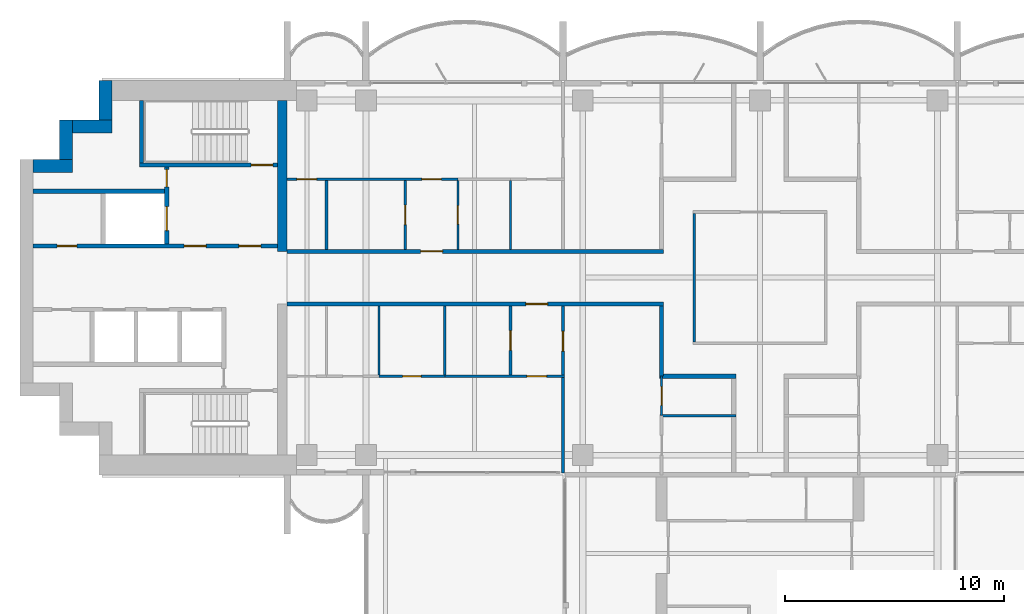
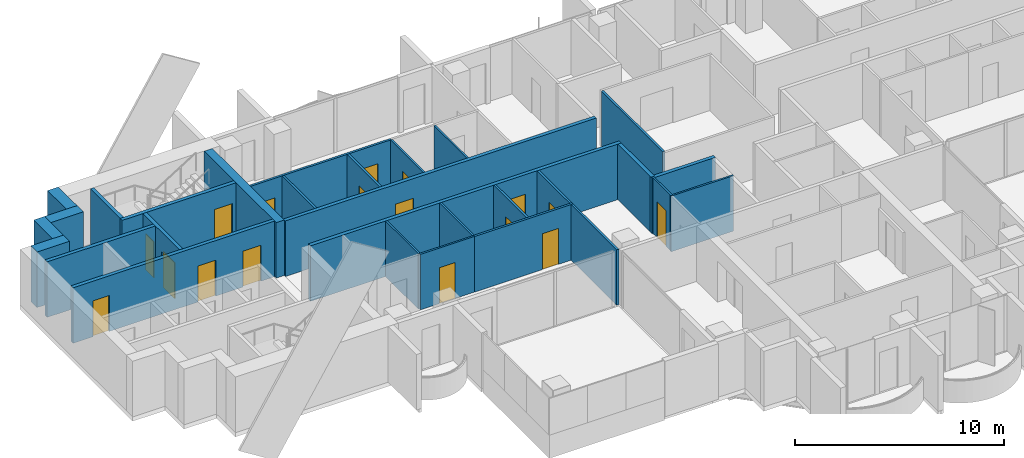
# One storey, part 9 of 17: 28 walls, 17 doors, 17 openings.
"""IFC4 building model written with IfcOpenShell, lengths in metres."""

from ifc_helpers import new_model, si_unit, direction, frame, frame_2d, origin, place, context, subcontext, project, spatial, rectangle, extrude, material, layer, layer_set, type_object, element, fill, save


model = new_model("IFC4")

# Units and contexts
model_context = context("Model", 3, precision=1e-05, world=origin(), true_north=direction((0.0, 1.0)))
body_context = subcontext(model_context, "Body", "Model", "MODEL_VIEW")
ifc_project = project(units=[si_unit("LENGTHUNIT", "METRE"), si_unit("AREAUNIT", "SQUARE_METRE"), si_unit("VOLUMEUNIT", "CUBIC_METRE"), si_unit("PLANEANGLEUNIT", "RADIAN"), si_unit("MASSUNIT", "GRAM", prefix="KILO")], contexts=[model_context])

# Site, building, storey
site_placement = place(None, origin())
site = spatial("IfcSite", under=ifc_project, at=site_placement, CompositionType="ELEMENT")
building_placement = place(site_placement, origin())
building = spatial("IfcBuilding", under=site, at=building_placement, Name="Perihelion Cross Residences", CompositionType="ELEMENT")
storey_placement = place(building_placement, frame((0.0, 0.0, 187.60009765625)))
storey = spatial("IfcBuildingStorey", under=building, at=storey_placement, Name="L46", CompositionType="ELEMENT", Elevation=187.60009765625)

# Wall, opening, door
ifc_material_1 = material(Name="Plasterboard partition")
ifc_layer_1 = layer(ifc_material_1, 0.199951171875)
ifc_layer_set_1 = layer_set([ifc_layer_1], Name="Apartment separation wall 200")
wall_type_1 = type_object("IfcWallType", Name="Apartment separation wall 200", PredefinedType="PARTITIONING", material=ifc_layer_set_1)
wall_1_placement = place(storey_placement, frame((-21.60009765625, 1.199951171875, 0.0), z_axis=(0.0, 0.0, 1.0), x_axis=(1.0, 0.0, 0.0)))
wall_1 = element("IfcWall", 1, at=wall_1_placement, inside=storey, type_object=wall_type_1, Name="Partition L46 W013", PredefinedType="PARTITIONING", context=body_context, shape_type="SweptSolid", body=[
    extrude(rectangle(XDim=17.2001953125, YDim=0.199951171875, at=frame_2d((8.60009765625, 0.0))), origin(), (0.0, 0.0, 1.0), 3.25),
])
opening_1_placement = place(wall_1_placement, frame((6.10009765625, 0.0, 0.0)))
opening_1 = element("IfcOpeningElement", 2, at=opening_1_placement, cuts=wall_1, Name="Opening L46.A40", PredefinedType="OPENING", context=body_context, shape_type="SweptSolid", body=[
    extrude(rectangle(XDim=1.0, YDim=2.10009765625, at=frame_2d((0.5, 1.050048828125))), frame((0.0, 0.10986328125, 0.0), z_axis=(0.0, -1.0, 0.0), x_axis=(1.0, 0.0, 0.0)), (0.0, 0.0, 1.0), 0.219970703125),
])
ifc_material_2 = material(Name="Timber door leaf", Category="wood")
door_type_1 = type_object("IfcDoorType", Name="Flat entrance door 1000 x 2100", OperationType="SINGLE_SWING_LEFT", PredefinedType="DOOR", material=ifc_material_2)
door_1_placement = place(opening_1_placement, origin())
door_1 = element("IfcDoor", 3, at=door_1_placement, inside=storey, type_object=door_type_1, Name="Door L46.A40", OperationType="SINGLE_SWING_RIGHT", OverallHeight=2.10009765625, OverallWidth=1.0, PredefinedType="DOOR", context=body_context, shape_type="SweptSolid", body=[
    extrude(rectangle(XDim=1.0, YDim=2.10009765625, at=frame_2d((0.5, 1.050048828125))), frame((0.0, 0.02490234375, 0.0), z_axis=(0.0, -1.0, 0.0), x_axis=(1.0, 0.0, 0.0)), (0.0, 0.0, 1.0), 0.050048828125),
])
fill(opening_1, door_1)

wall_2_placement = place(storey_placement, frame((-4.39990234375, -1.199951171875, 0.0), z_axis=(0.0, 0.0, 1.0), x_axis=(-1.0, 0.0, 0.0)))
wall_2 = element("IfcWall", 4, at=wall_2_placement, inside=storey, type_object=wall_type_1, Name="Partition L46 W017", PredefinedType="PARTITIONING", context=body_context, shape_type="SweptSolid", body=[
    extrude(rectangle(XDim=17.2001953125, YDim=0.199951171875, at=frame_2d((8.60009765625, 0.0))), origin(), (0.0, 0.0, 1.0), 3.25),
])
opening_2_placement = place(wall_2_placement, frame((5.300048828125, 0.0, 0.0)))
opening_2 = element("IfcOpeningElement", 5, at=opening_2_placement, cuts=wall_2, Name="Opening L46.A41", PredefinedType="OPENING", context=body_context, shape_type="SweptSolid", body=[
    extrude(rectangle(XDim=1.0, YDim=2.10009765625, at=frame_2d((0.5, 1.050048828125))), frame((0.0, 0.10986328125, 0.0), z_axis=(0.0, -1.0, 0.0), x_axis=(1.0, 0.0, 0.0)), (0.0, 0.0, 1.0), 0.219970703125),
])
door_2_placement = place(opening_2_placement, origin())
door_2 = element("IfcDoor", 6, at=door_2_placement, inside=storey, type_object=door_type_1, Name="Door L46.A41", OperationType="SINGLE_SWING_RIGHT", OverallHeight=2.10009765625, OverallWidth=1.0, PredefinedType="DOOR", context=body_context, shape_type="SweptSolid", body=[
    extrude(rectangle(XDim=1.0, YDim=2.10009765625, at=frame_2d((0.5, 1.050048828125))), frame((0.0, 0.02490234375, 0.0), z_axis=(0.0, -1.0, 0.0), x_axis=(1.0, 0.0, 0.0)), (0.0, 0.0, 1.0), 0.050048828125),
])
fill(opening_2, door_2)

# Walls
wall_3_placement = place(storey_placement, frame((-4.5, -4.5, 0.0), z_axis=(0.0, 0.0, 1.0), x_axis=(0.0, 1.0, 0.0)))
element("IfcWall", 7, at=wall_3_placement, inside=storey, type_object=wall_type_1, Name="Partition L46 W018", PredefinedType="PARTITIONING", context=body_context, shape_type="SweptSolid", body=[
    extrude(rectangle(XDim=3.199951171875, YDim=0.199951171875, at=frame_2d((1.60009765625, 0.0))), origin(), (0.0, 0.0, 1.0), 3.25),
])
wall_4_placement = place(storey_placement, frame((-1.10009765625, -4.5, 0.0), z_axis=(0.0, 0.0, 1.0), x_axis=(-1.0, 0.0, 0.0)))
element("IfcWall", 8, at=wall_4_placement, inside=storey, type_object=wall_type_1, Name="Partition L46 W020", PredefinedType="PARTITIONING", context=body_context, shape_type="SweptSolid", body=[
    extrude(rectangle(XDim=3.5, YDim=0.199951171875, at=frame_2d((1.75, 0.0))), origin(), (0.0, 0.0, 1.0), 3.25),
])
ifc_material_3 = material(Name="Concrete C60/75", Category="concrete")
ifc_layer_2 = layer(ifc_material_3, 0.449951171875)
ifc_layer_set_2 = layer_set([ifc_layer_2], Name="Core wall, inner 450")
wall_type_2 = type_object("IfcWallType", Name="Core wall, inner 450", PredefinedType="SHEAR", material=ifc_layer_set_2)
wall_5_placement = place(storey_placement, frame((-21.824951171875, 1.199951171875, 0.0), z_axis=(0.0, 0.0, 1.0), x_axis=(0.0, 1.0, 0.0)))
element("IfcWall", 9, at=wall_5_placement, inside=storey, type_object=wall_type_2, Name="West core core wall, inner", PredefinedType="SHEAR", context=body_context, shape_type="SweptSolid", body=[
    extrude(rectangle(XDim=6.900146484375, YDim=0.449951171875, at=frame_2d((3.4501953125, 0.0))), origin(), (0.0, 0.0, 1.0), 3.25),
])
ifc_material_4 = material(Name="Concrete C60/75", Category="concrete")
ifc_layer_3 = layer(ifc_material_4, 0.60009765625)
ifc_layer_set_3 = layer_set([ifc_layer_3], Name="Core wall, outer 600")
wall_type_3 = type_object("IfcWallType", Name="Core wall, outer 600", PredefinedType="SHEAR", material=ifc_layer_set_3)
for number, where, z_axis, x_axis, name in (
    (10, (-33.199951171875, 5.10009765625, 0.0), (0.0, 0.0, 1.0), (1.0, 0.0, 0.0), "West core core wall, outer"),
    (11, (-31.699951171875, 5.39990234375, 0.0), (0.0, 0.0, 1.0), (0.0, 1.0, 0.0), "West core core wall, outer"),
):
    element("IfcWall", number, at=place(storey_placement, frame(where, z_axis=z_axis, x_axis=x_axis)), inside=storey, type_object=wall_type_3, Name=name, PredefinedType="SHEAR", context=body_context, shape_type="SweptSolid", body=[
        extrude(rectangle(XDim=1.800048828125, YDim=0.60009765625, at=frame_2d((0.89990234375, 0.0))), origin(), (0.0, 0.0, 1.0), 3.25),
    ])
wall_6_placement = place(storey_placement, frame((-31.39990234375, 6.89990234375, 0.0), z_axis=(0.0, 0.0, 1.0), x_axis=(1.0, 0.0, 0.0)))
element("IfcWall", 12, at=wall_6_placement, inside=storey, type_object=wall_type_3, Name="West core core wall, outer", PredefinedType="SHEAR", context=body_context, shape_type="SweptSolid", body=[
    extrude(rectangle(XDim=1.7998046875, YDim=0.60009765625, at=frame_2d((0.89990234375, 0.0))), origin(), (0.0, 0.0, 1.0), 3.25),
])
wall_7_placement = place(storey_placement, frame((-29.89990234375, 7.199951171875, 0.0), z_axis=(0.0, 0.0, 1.0), x_axis=(0.0, 1.0, 0.0)))
element("IfcWall", 13, at=wall_7_placement, inside=storey, type_object=wall_type_3, Name="West core core wall, outer", PredefinedType="SHEAR", context=body_context, shape_type="SweptSolid", body=[
    extrude(rectangle(XDim=1.800048828125, YDim=0.60009765625, at=frame_2d((0.89990234375, 0.0))), origin(), (0.0, 0.0, 1.0), 3.25),
])
ifc_material_5 = material(Name="Plasterboard partition")
ifc_layer_4 = layer(ifc_material_5, 0.1201171875)
ifc_layer_set_4 = layer_set([ifc_layer_4], Name="Partition wall 120")
wall_type_4 = type_object("IfcWallType", Name="Partition wall 120", PredefinedType="PARTITIONING", material=ifc_layer_set_4)
wall_8_placement = place(storey_placement, frame((-3.0, 2.93994140625, 0.0), z_axis=(0.0, 0.0, 1.0), x_axis=(0.0, -1.0, 0.0)))
element("IfcWall", 14, at=wall_8_placement, inside=storey, type_object=wall_type_4, Name="Partition L46 W004", PredefinedType="PARTITIONING", context=body_context, shape_type="SweptSolid", body=[
    extrude(rectangle(XDim=5.8798828125, YDim=0.1201171875, at=frame_2d((2.93994140625, 0.0))), origin(), (0.0, 0.0, 1.0), 3.25),
])

# Wall, opening, door
wall_9_placement = place(storey_placement, frame((-16.199951171875, 1.300048828125, 0.0), z_axis=(0.0, 0.0, 1.0), x_axis=(0.0, 1.0, 0.0)))
wall_9 = element("IfcWall", 15, at=wall_9_placement, inside=storey, type_object=wall_type_4, Name="Partition L46 W048", PredefinedType="PARTITIONING", context=body_context, shape_type="SweptSolid", body=[
    extrude(rectangle(XDim=3.139892578125, YDim=0.1201171875, at=frame_2d((1.56982421875, 0.0))), origin(), (0.0, 0.0, 1.0), 3.25),
])
opening_3_placement = place(wall_9_placement, frame((1.1201171875, 0.0, 0.0)))
opening_3 = element("IfcOpeningElement", 16, at=opening_3_placement, cuts=wall_9, Name="Opening L46.A19", PredefinedType="OPENING", context=body_context, shape_type="SweptSolid", body=[
    extrude(rectangle(XDim=0.89990234375, YDim=2.10009765625, at=frame_2d((0.449951171875, 1.050048828125))), frame((0.0, 0.070068359375, 0.0), z_axis=(0.0, -1.0, 0.0), x_axis=(1.0, 0.0, 0.0)), (0.0, 0.0, 1.0), 0.14013671875),
])
ifc_material_6 = material(Name="Timber door leaf", Category="wood")
door_type_2 = type_object("IfcDoorType", Name="Interior room door 900 x 2100", OperationType="SINGLE_SWING_LEFT", PredefinedType="DOOR", material=ifc_material_6)
door_3_placement = place(opening_3_placement, origin())
door_3 = element("IfcDoor", 17, at=door_3_placement, inside=storey, type_object=door_type_2, Name="Door L46.A19", OperationType="SINGLE_SWING_RIGHT", OverallHeight=2.10009765625, OverallWidth=0.89990234375, PredefinedType="DOOR", context=body_context, shape_type="SweptSolid", body=[
    extrude(rectangle(XDim=0.89990234375, YDim=2.10009765625, at=frame_2d((0.449951171875, 1.050048828125))), frame((0.0, 0.02490234375, 0.0), z_axis=(0.0, -1.0, 0.0), x_axis=(1.0, 0.0, 0.0)), (0.0, 0.0, 1.0), 0.050048828125),
])
fill(opening_3, door_3)

# Wall, openings, doors
wall_10_placement = place(storey_placement, frame((-21.60009765625, 4.5, 0.0), z_axis=(0.0, 0.0, 1.0), x_axis=(1.0, 0.0, 0.0)))
wall_10 = element("IfcWall", 18, at=wall_10_placement, inside=storey, type_object=wall_type_4, Name="Partition L46 W049", PredefinedType="PARTITIONING", context=body_context, shape_type="SweptSolid", body=[
    extrude(rectangle(XDim=7.800048828125, YDim=0.1201171875, at=frame_2d((3.89990234375, 0.0))), origin(), (0.0, 0.0, 1.0), 3.25),
])
opening_4_placement = place(wall_10_placement, frame((0.449951171875, 0.0, 0.0)))
opening_4 = element("IfcOpeningElement", 19, at=opening_4_placement, cuts=wall_10, Name="Opening L46.A20", PredefinedType="OPENING", context=body_context, shape_type="SweptSolid", body=[
    extrude(rectangle(XDim=0.89990234375, YDim=2.10009765625, at=frame_2d((0.449951171875, 1.050048828125))), frame((0.0, 0.070068359375, 0.0), z_axis=(0.0, -1.0, 0.0), x_axis=(1.0, 0.0, 0.0)), (0.0, 0.0, 1.0), 0.14013671875),
])
opening_5_placement = place(wall_10_placement, frame((6.14990234375, 0.0, 0.0)))
opening_5 = element("IfcOpeningElement", 20, at=opening_5_placement, cuts=wall_10, Name="Opening L46.A21", PredefinedType="OPENING", context=body_context, shape_type="SweptSolid", body=[
    extrude(rectangle(XDim=0.89990234375, YDim=2.10009765625, at=frame_2d((0.449951171875, 1.050048828125))), frame((0.0, 0.070068359375, 0.0), z_axis=(0.0, -1.0, 0.0), x_axis=(1.0, 0.0, 0.0)), (0.0, 0.0, 1.0), 0.14013671875),
])
door_4_placement = place(opening_4_placement, origin())
door_4 = element("IfcDoor", 21, at=door_4_placement, inside=storey, type_object=door_type_2, Name="Door L46.A20", OperationType="SINGLE_SWING_RIGHT", OverallHeight=2.10009765625, OverallWidth=0.89990234375, PredefinedType="DOOR", context=body_context, shape_type="SweptSolid", body=[
    extrude(rectangle(XDim=0.89990234375, YDim=2.10009765625, at=frame_2d((0.449951171875, 1.050048828125))), frame((0.0, 0.02490234375, 0.0), z_axis=(0.0, -1.0, 0.0), x_axis=(1.0, 0.0, 0.0)), (0.0, 0.0, 1.0), 0.050048828125),
])
fill(opening_4, door_4)
door_5_placement = place(opening_5_placement, origin())
door_5 = element("IfcDoor", 22, at=door_5_placement, inside=storey, type_object=door_type_2, Name="Door L46.A21", OperationType="SINGLE_SWING_LEFT", OverallHeight=2.10009765625, OverallWidth=0.89990234375, PredefinedType="DOOR", context=body_context, shape_type="SweptSolid", body=[
    extrude(rectangle(XDim=0.89990234375, YDim=2.10009765625, at=frame_2d((0.449951171875, 1.050048828125))), frame((0.0, 0.02490234375, 0.0), z_axis=(0.0, -1.0, 0.0), x_axis=(1.0, 0.0, 0.0)), (0.0, 0.0, 1.0), 0.050048828125),
])
fill(opening_5, door_5)

# Wall
wall_11_placement = place(storey_placement, frame((-19.800048828125, 1.300048828125, 0.0), z_axis=(0.0, 0.0, 1.0), x_axis=(0.0, 1.0, 0.0)))
element("IfcWall", 23, at=wall_11_placement, inside=storey, type_object=wall_type_4, Name="Partition L46 W050", PredefinedType="PARTITIONING", context=body_context, shape_type="SweptSolid", body=[
    extrude(rectangle(XDim=3.139892578125, YDim=0.1201171875, at=frame_2d((1.56982421875, 0.0))), origin(), (0.0, 0.0, 1.0), 3.25),
])

# Wall, opening, door
wall_12_placement = place(storey_placement, frame((-11.39990234375, -4.43994140625, 0.0), z_axis=(0.0, 0.0, 1.0), x_axis=(0.0, 1.0, 0.0)))
wall_12 = element("IfcWall", 24, at=wall_12_placement, inside=storey, type_object=wall_type_4, Name="Partition L46 W052", PredefinedType="PARTITIONING", context=body_context, shape_type="SweptSolid", body=[
    extrude(rectangle(XDim=3.139892578125, YDim=0.1201171875, at=frame_2d((1.56982421875, 0.0))), origin(), (0.0, 0.0, 1.0), 3.25),
])
opening_6_placement = place(wall_12_placement, frame((1.1201171875, 0.0, 0.0)))
opening_6 = element("IfcOpeningElement", 25, at=opening_6_placement, cuts=wall_12, Name="Opening L46.A25", PredefinedType="OPENING", context=body_context, shape_type="SweptSolid", body=[
    extrude(rectangle(XDim=0.89990234375, YDim=2.10009765625, at=frame_2d((0.449951171875, 1.050048828125))), frame((0.0, 0.070068359375, 0.0), z_axis=(0.0, -1.0, 0.0), x_axis=(1.0, 0.0, 0.0)), (0.0, 0.0, 1.0), 0.14013671875),
])
door_6_placement = place(opening_6_placement, origin())
door_6 = element("IfcDoor", 26, at=door_6_placement, inside=storey, type_object=door_type_2, Name="Door L46.A25", OperationType="SINGLE_SWING_RIGHT", OverallHeight=2.10009765625, OverallWidth=0.89990234375, PredefinedType="DOOR", context=body_context, shape_type="SweptSolid", body=[
    extrude(rectangle(XDim=0.89990234375, YDim=2.10009765625, at=frame_2d((0.449951171875, 1.050048828125))), frame((0.0, 0.02490234375, 0.0), z_axis=(0.0, -1.0, 0.0), x_axis=(1.0, 0.0, 0.0)), (0.0, 0.0, 1.0), 0.050048828125),
])
fill(opening_6, door_6)

wall_13_placement = place(storey_placement, frame((-8.93994140625, -4.5, 0.0), z_axis=(0.0, 0.0, 1.0), x_axis=(-1.0, 0.0, 0.0)))
wall_13 = element("IfcWall", 27, at=wall_13_placement, inside=storey, type_object=wall_type_4, Name="Partition L46 W053", PredefinedType="PARTITIONING", context=body_context, shape_type="SweptSolid", body=[
    extrude(rectangle(XDim=5.4599609375, YDim=0.1201171875, at=frame_2d((2.72998046875, 0.0))), origin(), (0.0, 0.0, 1.0), 3.25),
])
opening_7_placement = place(wall_13_placement, frame((0.81005859375, 0.0, 0.0)))
opening_7 = element("IfcOpeningElement", 28, at=opening_7_placement, cuts=wall_13, Name="Opening L46.A30", PredefinedType="OPENING", context=body_context, shape_type="SweptSolid", body=[
    extrude(rectangle(XDim=0.89990234375, YDim=2.10009765625, at=frame_2d((0.449951171875, 1.050048828125))), frame((0.0, 0.070068359375, 0.0), z_axis=(0.0, -1.0, 0.0), x_axis=(1.0, 0.0, 0.0)), (0.0, 0.0, 1.0), 0.14013671875),
])
door_7_placement = place(opening_7_placement, origin())
door_7 = element("IfcDoor", 29, at=door_7_placement, inside=storey, type_object=door_type_2, Name="Door L46.A30", OperationType="SINGLE_SWING_RIGHT", OverallHeight=2.10009765625, OverallWidth=0.89990234375, PredefinedType="DOOR", context=body_context, shape_type="SweptSolid", body=[
    extrude(rectangle(XDim=0.89990234375, YDim=2.10009765625, at=frame_2d((0.449951171875, 1.050048828125))), frame((0.0, 0.02490234375, 0.0), z_axis=(0.0, -1.0, 0.0), x_axis=(1.0, 0.0, 0.0)), (0.0, 0.0, 1.0), 0.050048828125),
])
fill(opening_7, door_7)

wall_14_placement = place(storey_placement, frame((-9.0, -1.300048828125, 0.0), z_axis=(0.0, 0.0, 1.0), x_axis=(0.0, -1.0, 0.0)))
wall_14 = element("IfcWall", 30, at=wall_14_placement, inside=storey, type_object=wall_type_4, Name="Partition L46 W054", PredefinedType="PARTITIONING", context=body_context, shape_type="SweptSolid", body=[
    extrude(rectangle(XDim=7.619873046875, YDim=0.1201171875, at=frame_2d((3.81005859375, 0.0))), origin(), (0.0, 0.0, 1.0), 3.25),
])
opening_8_placement = place(wall_14_placement, frame((1.14990234375, 0.0, 0.0)))
opening_8 = element("IfcOpeningElement", 31, at=opening_8_placement, cuts=wall_14, Name="Opening L46.A26", PredefinedType="OPENING", context=body_context, shape_type="SweptSolid", body=[
    extrude(rectangle(XDim=0.89990234375, YDim=2.10009765625, at=frame_2d((0.449951171875, 1.050048828125))), frame((0.0, 0.070068359375, 0.0), z_axis=(0.0, -1.0, 0.0), x_axis=(1.0, 0.0, 0.0)), (0.0, 0.0, 1.0), 0.14013671875),
])
door_8_placement = place(opening_8_placement, origin())
door_8 = element("IfcDoor", 32, at=door_8_placement, inside=storey, type_object=door_type_2, Name="Door L46.A26", OperationType="SINGLE_SWING_RIGHT", OverallHeight=2.10009765625, OverallWidth=0.89990234375, PredefinedType="DOOR", context=body_context, shape_type="SweptSolid", body=[
    extrude(rectangle(XDim=0.89990234375, YDim=2.10009765625, at=frame_2d((0.449951171875, 1.050048828125))), frame((0.0, 0.02490234375, 0.0), z_axis=(0.0, -1.0, 0.0), x_axis=(1.0, 0.0, 0.0)), (0.0, 0.0, 1.0), 0.050048828125),
])
fill(opening_8, door_8)

# Wall, openings, doors
ifc_material_7 = material(Name="Concrete C50/60", Category="concrete")
ifc_layer_5 = layer(ifc_material_7, 0.199951171875)
ifc_layer_set_5 = layer_set([ifc_layer_5], Name="Shaft wall 200")
wall_type_5 = type_object("IfcWallType", Name="Shaft wall 200", PredefinedType="SOLIDWALL", material=ifc_layer_set_5)
wall_15_placement = place(storey_placement, frame((-33.199951171875, 1.449951171875, 0.0), z_axis=(0.0, 0.0, 1.0), x_axis=(1.0, 0.0, 0.0)))
wall_15 = element("IfcWall", 33, at=wall_15_placement, inside=storey, type_object=wall_type_5, Name="West core shaft wall", PredefinedType="SOLIDWALL", context=body_context, shape_type="SweptSolid", body=[
    extrude(rectangle(XDim=11.14990234375, YDim=0.199951171875, at=frame_2d((5.574951171875, 0.0))), origin(), (0.0, 0.0, 1.0), 3.25),
])
opening_9_placement = place(wall_15_placement, frame((9.39990234375, 0.0, 0.0)))
opening_9 = element("IfcOpeningElement", 34, at=opening_9_placement, cuts=wall_15, Name="Opening L46.C19", PredefinedType="OPENING", context=body_context, shape_type="SweptSolid", body=[
    extrude(rectangle(XDim=1.0, YDim=2.10009765625, at=frame_2d((0.5, 1.050048828125))), frame((0.0, 0.10986328125, 0.0), z_axis=(0.0, -1.0, 0.0), x_axis=(1.0, 0.0, 0.0)), (0.0, 0.0, 1.0), 0.219970703125),
])
opening_10_placement = place(wall_15_placement, frame((6.89990234375, 0.0, 0.0)))
opening_10 = element("IfcOpeningElement", 35, at=opening_10_placement, cuts=wall_15, Name="Opening L46.C21", PredefinedType="OPENING", context=body_context, shape_type="SweptSolid", body=[
    extrude(rectangle(XDim=1.0, YDim=2.10009765625, at=frame_2d((0.5, 1.050048828125))), frame((0.0, 0.10986328125, 0.0), z_axis=(0.0, -1.0, 0.0), x_axis=(1.0, 0.0, 0.0)), (0.0, 0.0, 1.0), 0.219970703125),
])
opening_11_placement = place(wall_15_placement, frame((1.10009765625, 0.0, 0.0)))
opening_11 = element("IfcOpeningElement", 36, at=opening_11_placement, cuts=wall_15, Name="Opening L46.C23", PredefinedType="OPENING", context=body_context, shape_type="SweptSolid", body=[
    extrude(rectangle(XDim=0.89990234375, YDim=2.10009765625, at=frame_2d((0.449951171875, 1.050048828125))), frame((0.0, 0.10986328125, 0.0), z_axis=(0.0, -1.0, 0.0), x_axis=(1.0, 0.0, 0.0)), (0.0, 0.0, 1.0), 0.219970703125),
])
ifc_material_8 = material(Name="Steel, powder coated", Category="steel")
door_type_3 = type_object("IfcDoorType", Name="Lobby door 1000", OperationType="SINGLE_SWING_LEFT", PredefinedType="DOOR", material=ifc_material_8)
door_9_placement = place(opening_9_placement, origin())
door_9 = element("IfcDoor", 37, at=door_9_placement, inside=storey, type_object=door_type_3, Name="West core firefighting lobby door", OperationType="SINGLE_SWING_LEFT", OverallHeight=2.10009765625, OverallWidth=1.0, PredefinedType="DOOR", context=body_context, shape_type="SweptSolid", body=[
    extrude(rectangle(XDim=1.0, YDim=2.10009765625, at=frame_2d((0.5, 1.050048828125))), frame((0.0, 0.02490234375, 0.0), z_axis=(0.0, -1.0, 0.0), x_axis=(1.0, 0.0, 0.0)), (0.0, 0.0, 1.0), 0.050048828125),
])
fill(opening_9, door_9)
door_10_placement = place(opening_10_placement, origin())
door_10 = element("IfcDoor", 38, at=door_10_placement, inside=storey, type_object=door_type_3, Name="West core firefighting lobby door", OperationType="SINGLE_SWING_LEFT", OverallHeight=2.10009765625, OverallWidth=1.0, PredefinedType="DOOR", context=body_context, shape_type="SweptSolid", body=[
    extrude(rectangle(XDim=1.0, YDim=2.10009765625, at=frame_2d((0.5, 1.050048828125))), frame((0.0, 0.02490234375, 0.0), z_axis=(0.0, -1.0, 0.0), x_axis=(1.0, 0.0, 0.0)), (0.0, 0.0, 1.0), 0.050048828125),
])
fill(opening_10, door_10)
ifc_material_9 = material(Name="Steel, powder coated", Category="steel")
door_type_4 = type_object("IfcDoorType", Name="Service room door 900", OperationType="SINGLE_SWING_LEFT", PredefinedType="DOOR", material=ifc_material_9)
door_11_placement = place(opening_11_placement, origin())
door_11 = element("IfcDoor", 39, at=door_11_placement, inside=storey, type_object=door_type_4, Name="West core service room door", OperationType="SINGLE_SWING_LEFT", OverallHeight=2.10009765625, OverallWidth=0.89990234375, PredefinedType="DOOR", context=body_context, shape_type="SweptSolid", body=[
    extrude(rectangle(XDim=0.89990234375, YDim=2.10009765625, at=frame_2d((0.449951171875, 1.050048828125))), frame((0.0, 0.02490234375, 0.0), z_axis=(0.0, -1.0, 0.0), x_axis=(1.0, 0.0, 0.0)), (0.0, 0.0, 1.0), 0.050048828125),
])
fill(opening_11, door_11)

# Wall
wall_16_placement = place(storey_placement, frame((-33.199951171875, 3.949951171875, 0.0), z_axis=(0.0, 0.0, 1.0), x_axis=(1.0, 0.0, 0.0)))
element("IfcWall", 40, at=wall_16_placement, inside=storey, type_object=wall_type_5, Name="West core shaft wall", PredefinedType="SOLIDWALL", context=body_context, shape_type="SweptSolid", body=[
    extrude(rectangle(XDim=6.0, YDim=0.199951171875, at=frame_2d((3.0, 0.0))), origin(), (0.0, 0.0, 1.0), 3.25),
])

# Wall, openings, doors
wall_17_placement = place(storey_placement, frame((-27.10009765625, 1.550048828125, 0.0), z_axis=(0.0, 0.0, 1.0), x_axis=(0.0, 1.0, 0.0)))
wall_17 = element("IfcWall", 41, at=wall_17_placement, inside=storey, type_object=wall_type_5, Name="West core shaft wall", PredefinedType="SOLIDWALL", context=body_context, shape_type="SweptSolid", body=[
    extrude(rectangle(XDim=3.5, YDim=0.199951171875, at=frame_2d((1.75, 0.0))), origin(), (0.0, 0.0, 1.0), 3.25),
])
opening_12_placement = place(wall_17_placement, frame((0.60009765625, 0.0, 0.0)))
opening_12 = element("IfcOpeningElement", 42, at=opening_12_placement, cuts=wall_17, Name="Opening L46.C14", PredefinedType="OPENING", context=body_context, shape_type="SweptSolid", body=[
    extrude(rectangle(XDim=1.10009765625, YDim=2.10009765625, at=frame_2d((0.550048828125, 1.050048828125))), frame((0.0, 0.10986328125, 0.0), z_axis=(0.0, -1.0, 0.0), x_axis=(1.0, 0.0, 0.0)), (0.0, 0.0, 1.0), 0.219970703125),
])
opening_13_placement = place(wall_17_placement, frame((2.60009765625, 0.0, 0.0)))
opening_13 = element("IfcOpeningElement", 43, at=opening_13_placement, cuts=wall_17, Name="Opening L46.C22", PredefinedType="OPENING", context=body_context, shape_type="SweptSolid", body=[
    extrude(rectangle(XDim=0.800048828125, YDim=2.10009765625, at=frame_2d((0.39990234375, 1.050048828125))), frame((0.0, 0.10986328125, 0.0), z_axis=(0.0, -1.0, 0.0), x_axis=(1.0, 0.0, 0.0)), (0.0, 0.0, 1.0), 0.219970703125),
])
ifc_material_10 = material(Name="Stainless steel", Category="steel")
door_type_5 = type_object("IfcDoorType", Name="Landing door, firefighting lift 1100", OperationType="DOUBLE_DOOR_SLIDING", PredefinedType="DOOR", material=ifc_material_10)
door_12_placement = place(opening_12_placement, origin())
door_12 = element("IfcDoor", 44, at=door_12_placement, inside=storey, type_object=door_type_5, Name="Landing door, West core firefighting and service lift", OperationType="DOUBLE_DOOR_SLIDING", OverallHeight=2.10009765625, OverallWidth=1.10009765625, PredefinedType="DOOR", context=body_context, shape_type="SweptSolid", body=[
    extrude(rectangle(XDim=1.10009765625, YDim=2.10009765625, at=frame_2d((0.550048828125, 1.050048828125))), frame((0.0, 0.02490234375, 0.0), z_axis=(0.0, -1.0, 0.0), x_axis=(1.0, 0.0, 0.0)), (0.0, 0.0, 1.0), 0.050048828125),
])
fill(opening_12, door_12)
ifc_material_11 = material(Name="Steel, powder coated", Category="steel")
door_type_6 = type_object("IfcDoorType", Name="Riser door 800", OperationType="SINGLE_SWING_LEFT", PredefinedType="DOOR", material=ifc_material_11)
door_13_placement = place(opening_13_placement, origin())
door_13 = element("IfcDoor", 45, at=door_13_placement, inside=storey, type_object=door_type_6, Name="West core riser door", OperationType="SINGLE_SWING_LEFT", OverallHeight=2.10009765625, OverallWidth=0.800048828125, PredefinedType="DOOR", context=body_context, shape_type="SweptSolid", body=[
    extrude(rectangle(XDim=0.800048828125, YDim=2.10009765625, at=frame_2d((0.39990234375, 1.050048828125))), frame((0.0, 0.02490234375, 0.0), z_axis=(0.0, -1.0, 0.0), x_axis=(1.0, 0.0, 0.0)), (0.0, 0.0, 1.0), 0.050048828125),
])
fill(opening_13, door_13)

# Wall, opening, door
ifc_material_12 = material(Name="Concrete C50/60", Category="concrete")
ifc_layer_6 = layer(ifc_material_12, 0.199951171875)
ifc_layer_set_6 = layer_set([ifc_layer_6], Name="Stair wall 200")
wall_type_6 = type_object("IfcWallType", Name="Stair wall 200", PredefinedType="SOLIDWALL", material=ifc_layer_set_6)
wall_18_placement = place(storey_placement, frame((-28.35009765625, 5.14990234375, 0.0), z_axis=(0.0, 0.0, 1.0), x_axis=(1.0, 0.0, 0.0)))
wall_18 = element("IfcWall", 46, at=wall_18_placement, inside=storey, type_object=wall_type_6, Name="West core stair wall", PredefinedType="SOLIDWALL", context=body_context, shape_type="SweptSolid", body=[
    extrude(rectangle(XDim=6.300048828125, YDim=0.199951171875, at=frame_2d((3.14990234375, 0.0))), origin(), (0.0, 0.0, 1.0), 3.25),
])
opening_14_placement = place(wall_18_placement, frame((5.10009765625, 0.0, 0.0)))
opening_14 = element("IfcOpeningElement", 47, at=opening_14_placement, cuts=wall_18, Name="Opening L46.C18", PredefinedType="OPENING", context=body_context, shape_type="SweptSolid", body=[
    extrude(rectangle(XDim=1.0, YDim=2.10009765625, at=frame_2d((0.5, 1.050048828125))), frame((0.0, 0.10986328125, 0.0), z_axis=(0.0, -1.0, 0.0), x_axis=(1.0, 0.0, 0.0)), (0.0, 0.0, 1.0), 0.219970703125),
])
ifc_material_13 = material(Name="Steel, powder coated", Category="steel")
door_type_7 = type_object("IfcDoorType", Name="Stair door 1000", OperationType="SINGLE_SWING_LEFT", PredefinedType="DOOR", material=ifc_material_13)
door_14_placement = place(opening_14_placement, origin())
door_14 = element("IfcDoor", 48, at=door_14_placement, inside=storey, type_object=door_type_7, Name="West core stair door", OperationType="SINGLE_SWING_LEFT", OverallHeight=2.10009765625, OverallWidth=1.0, PredefinedType="DOOR", context=body_context, shape_type="SweptSolid", body=[
    extrude(rectangle(XDim=1.0, YDim=2.10009765625, at=frame_2d((0.5, 1.050048828125))), frame((0.0, 0.02490234375, 0.0), z_axis=(0.0, -1.0, 0.0), x_axis=(1.0, 0.0, 0.0)), (0.0, 0.0, 1.0), 0.050048828125),
])
fill(opening_14, door_14)

# Walls
wall_19_placement = place(storey_placement, frame((-28.25, 5.25, 0.0), z_axis=(0.0, 0.0, 1.0), x_axis=(0.0, 1.0, 0.0)))
element("IfcWall", 49, at=wall_19_placement, inside=storey, type_object=wall_type_6, Name="West core stair wall", PredefinedType="SOLIDWALL", context=body_context, shape_type="SweptSolid", body=[
    extrude(rectangle(XDim=2.85009765625, YDim=0.199951171875, at=frame_2d((1.425048828125, 0.0))), origin(), (0.0, 0.0, 1.0), 3.25),
])
ifc_material_14 = material(Name="Plasterboard partition")
ifc_layer_7 = layer(ifc_material_14, 0.10009765625)
ifc_layer_set_7 = layer_set([ifc_layer_7], Name="Wet room wall 100")
wall_type_7 = type_object("IfcWallType", Name="Wet room wall 100", PredefinedType="PARTITIONING", material=ifc_layer_set_7)
wall_20_placement = place(storey_placement, frame((-11.39990234375, 1.300048828125, 0.0), z_axis=(0.0, 0.0, 1.0), x_axis=(0.0, 1.0, 0.0)))
element("IfcWall", 50, at=wall_20_placement, inside=storey, type_object=wall_type_7, Name="Partition L46 W043", PredefinedType="PARTITIONING", context=body_context, shape_type="SweptSolid", body=[
    extrude(rectangle(XDim=3.139892578125, YDim=0.10009765625, at=frame_2d((1.56982421875, 0.0))), origin(), (0.0, 0.0, 1.0), 3.25),
])

# Wall, opening, door
wall_21_placement = place(storey_placement, frame((-13.800048828125, 1.300048828125, 0.0), z_axis=(0.0, 0.0, 1.0), x_axis=(0.0, 1.0, 0.0)))
wall_21 = element("IfcWall", 51, at=wall_21_placement, inside=storey, type_object=wall_type_7, Name="Partition L46 W046", PredefinedType="PARTITIONING", context=body_context, shape_type="SweptSolid", body=[
    extrude(rectangle(XDim=3.139892578125, YDim=0.10009765625, at=frame_2d((1.56982421875, 0.0))), origin(), (0.0, 0.0, 1.0), 3.25),
])
opening_15_placement = place(wall_21_placement, frame((1.14501953125, 0.0, 0.0)))
opening_15 = element("IfcOpeningElement", 52, at=opening_15_placement, cuts=wall_21, Name="Opening L46.A17", PredefinedType="OPENING", context=body_context, shape_type="SweptSolid", body=[
    extrude(rectangle(XDim=0.85009765625, YDim=2.10009765625, at=frame_2d((0.425048828125, 1.050048828125))), frame((0.0, 0.06005859375, 0.0), z_axis=(0.0, -1.0, 0.0), x_axis=(1.0, 0.0, 0.0)), (0.0, 0.0, 1.0), 0.1201171875),
])
ifc_material_15 = material(Name="Timber door leaf", Category="wood")
door_type_8 = type_object("IfcDoorType", Name="Interior bathroom door 850 x 2100", OperationType="SINGLE_SWING_LEFT", PredefinedType="DOOR", material=ifc_material_15)
door_15_placement = place(opening_15_placement, origin())
door_15 = element("IfcDoor", 53, at=door_15_placement, inside=storey, type_object=door_type_8, Name="Door L46.A17", OperationType="SINGLE_SWING_RIGHT", OverallHeight=2.10009765625, OverallWidth=0.85009765625, PredefinedType="DOOR", context=body_context, shape_type="SweptSolid", body=[
    extrude(rectangle(XDim=0.85009765625, YDim=2.10009765625, at=frame_2d((0.425048828125, 1.050048828125))), frame((0.0, 0.02490234375, 0.0), z_axis=(0.0, -1.0, 0.0), x_axis=(1.0, 0.0, 0.0)), (0.0, 0.0, 1.0), 0.050048828125),
])
fill(opening_15, door_15)

# Walls
for number, where, z_axis, x_axis, name in (
    (54, (-14.39990234375, -4.43994140625, 0.0), (0.0, 0.0, 1.0), (0.0, 1.0, 0.0), "Partition L46 W055"),
    (55, (-17.39990234375, -4.43994140625, 0.0), (0.0, 0.0, 1.0), (0.0, 1.0, 0.0), "Partition L46 W056"),
):
    element("IfcWall", number, at=place(storey_placement, frame(where, z_axis=z_axis, x_axis=x_axis)), inside=storey, type_object=wall_type_7, Name=name, PredefinedType="PARTITIONING", context=body_context, shape_type="SweptSolid", body=[
        extrude(rectangle(XDim=3.139892578125, YDim=0.10009765625, at=frame_2d((1.56982421875, 0.0))), origin(), (0.0, 0.0, 1.0), 3.25),
    ])

# Wall, opening, door
wall_22_placement = place(storey_placement, frame((-14.39990234375, -4.5, 0.0), z_axis=(0.0, 0.0, 1.0), x_axis=(-1.0, 0.0, 0.0)))
wall_22 = element("IfcWall", 56, at=wall_22_placement, inside=storey, type_object=wall_type_7, Name="Partition L46 W057", PredefinedType="PARTITIONING", context=body_context, shape_type="SweptSolid", body=[
    extrude(rectangle(XDim=3.0, YDim=0.10009765625, at=frame_2d((1.5, 0.0))), origin(), (0.0, 0.0, 1.0), 3.25),
])
opening_16_placement = place(wall_22_placement, frame((1.074951171875, 0.0, 0.0)))
opening_16 = element("IfcOpeningElement", 57, at=opening_16_placement, cuts=wall_22, Name="Opening L46.A24", PredefinedType="OPENING", context=body_context, shape_type="SweptSolid", body=[
    extrude(rectangle(XDim=0.85009765625, YDim=2.10009765625, at=frame_2d((0.425048828125, 1.050048828125))), frame((0.0, 0.06005859375, 0.0), z_axis=(0.0, -1.0, 0.0), x_axis=(1.0, 0.0, 0.0)), (0.0, 0.0, 1.0), 0.1201171875),
])
door_16_placement = place(opening_16_placement, origin())
door_16 = element("IfcDoor", 58, at=door_16_placement, inside=storey, type_object=door_type_8, Name="Door L46.A24", OperationType="SINGLE_SWING_LEFT", OverallHeight=2.10009765625, OverallWidth=0.85009765625, PredefinedType="DOOR", context=body_context, shape_type="SweptSolid", body=[
    extrude(rectangle(XDim=0.85009765625, YDim=2.10009765625, at=frame_2d((0.425048828125, 1.050048828125))), frame((0.0, 0.02490234375, 0.0), z_axis=(0.0, -1.0, 0.0), x_axis=(1.0, 0.0, 0.0)), (0.0, 0.0, 1.0), 0.050048828125),
])
fill(opening_16, door_16)

wall_23_placement = place(storey_placement, frame((-4.5, -4.5, 0.0), z_axis=(0.0, 0.0, 1.0), x_axis=(0.0, -1.0, 0.0)))
wall_23 = element("IfcWall", 59, at=wall_23_placement, inside=storey, type_object=wall_type_7, Name="Partition L46 W061", PredefinedType="PARTITIONING", context=body_context, shape_type="SweptSolid", body=[
    extrude(rectangle(XDim=1.800048828125, YDim=0.10009765625, at=frame_2d((0.89990234375, 0.0))), origin(), (0.0, 0.0, 1.0), 3.25),
])
opening_17_placement = place(wall_23_placement, frame((0.47509765625, 0.0, 0.0)))
opening_17 = element("IfcOpeningElement", 60, at=opening_17_placement, cuts=wall_23, Name="Opening L46.A28", PredefinedType="OPENING", context=body_context, shape_type="SweptSolid", body=[
    extrude(rectangle(XDim=0.85009765625, YDim=2.10009765625, at=frame_2d((0.425048828125, 1.050048828125))), frame((0.0, 0.06005859375, 0.0), z_axis=(0.0, -1.0, 0.0), x_axis=(1.0, 0.0, 0.0)), (0.0, 0.0, 1.0), 0.1201171875),
])
door_17_placement = place(opening_17_placement, origin())
door_17 = element("IfcDoor", 61, at=door_17_placement, inside=storey, type_object=door_type_8, Name="Door L46.A28", OperationType="SINGLE_SWING_RIGHT", OverallHeight=2.10009765625, OverallWidth=0.85009765625, PredefinedType="DOOR", context=body_context, shape_type="SweptSolid", body=[
    extrude(rectangle(XDim=0.85009765625, YDim=2.10009765625, at=frame_2d((0.425048828125, 1.050048828125))), frame((0.0, 0.02490234375, 0.0), z_axis=(0.0, -1.0, 0.0), x_axis=(1.0, 0.0, 0.0)), (0.0, 0.0, 1.0), 0.050048828125),
])
fill(opening_17, door_17)

# Wall
wall_24_placement = place(storey_placement, frame((-1.10009765625, -6.300048828125, 0.0), z_axis=(0.0, 0.0, 1.0), x_axis=(-1.0, 0.0, 0.0)))
element("IfcWall", 62, at=wall_24_placement, inside=storey, type_object=wall_type_7, Name="Partition L46 W063", PredefinedType="PARTITIONING", context=body_context, shape_type="SweptSolid", body=[
    extrude(rectangle(XDim=3.4599609375, YDim=0.10009765625, at=frame_2d((1.72998046875, 0.0))), origin(), (0.0, 0.0, 1.0), 3.25),
])

save(model, "model.ifc")
